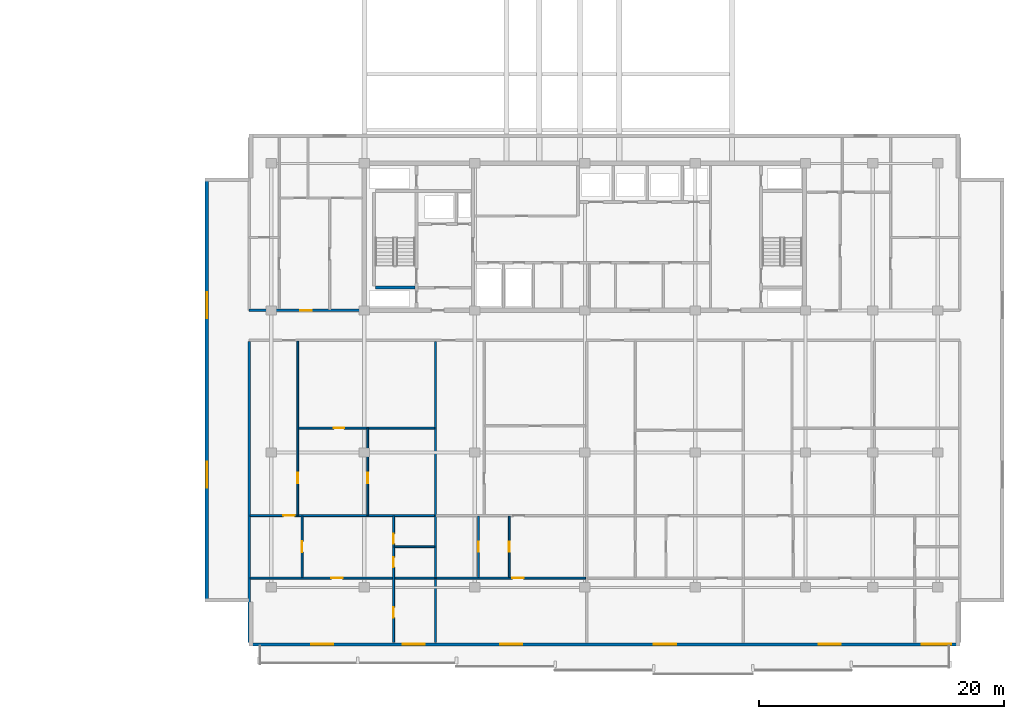
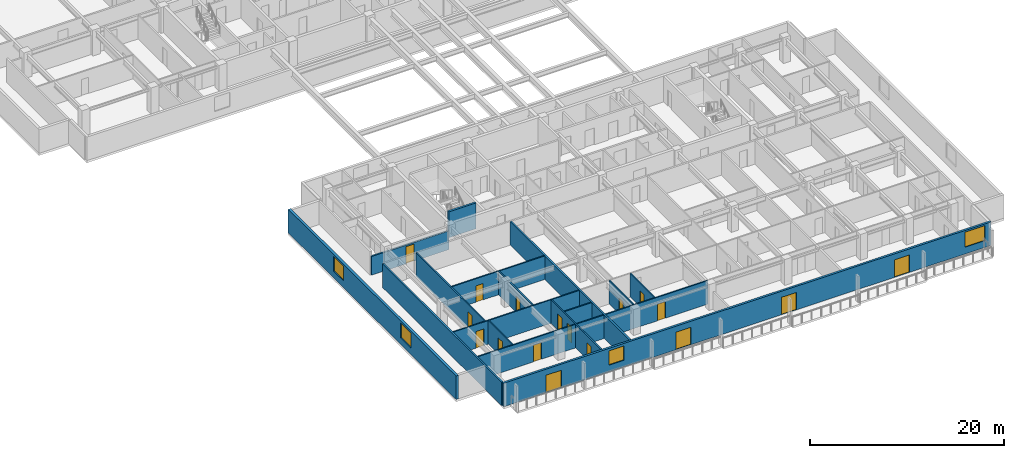
# One storey, part 4 of 21: 17 doors, 17 walls, 4 windows, 21 openings.
"""IFC4 building model written with IfcOpenShell, lengths in metres."""

from ifc_helpers import new_model, si_unit, direction, frame, frame_2d, origin, place, context, subcontext, project, spatial, rectangle, extrude, material, layer, layer_set, type_object, element, fill, save


model = new_model("IFC4")

# Units and contexts
model_context = context("Model", 3, precision=1e-05, world=origin(), true_north=direction((0.0, 1.0)))
body_context = subcontext(model_context, "Body", "Model", "MODEL_VIEW")
ifc_project = project(units=[si_unit("LENGTHUNIT", "METRE"), si_unit("AREAUNIT", "SQUARE_METRE"), si_unit("VOLUMEUNIT", "CUBIC_METRE"), si_unit("PLANEANGLEUNIT", "RADIAN"), si_unit("MASSUNIT", "GRAM", prefix="KILO")], contexts=[model_context])

# Site, building, storey
site_placement = place(None, origin())
site = spatial("IfcSite", under=ifc_project, at=site_placement, CompositionType="ELEMENT")
building_placement = place(site_placement, origin())
building = spatial("IfcBuilding", under=site, at=building_placement, Name="Korimba Cascade Residences", CompositionType="ELEMENT")
storey_placement = place(building_placement, frame((0.0, 0.0, 136.050048828125)))
storey = spatial("IfcBuildingStorey", under=building, at=storey_placement, Name="L39", CompositionType="ELEMENT", Elevation=136.050048828125)

# Wall, openings, doors, windows
ifc_material_1 = material(Name="Precast concrete C40/50", Category="concrete")
ifc_layer_1 = layer(ifc_material_1, 0.25)
ifc_layer_set_1 = layer_set([ifc_layer_1], Name="Precast concrete C40/50")
wall_type_1 = type_object("IfcWallType", Name="EW-LOG-250", PredefinedType="STANDARD", material=ifc_layer_set_1)
wall_1_placement = place(storey_placement, frame((72.699951171875, -8.85009765625, 0.0), z_axis=(0.0, 0.0, 1.0), x_axis=(1.0, 0.0, 0.0)))
wall_1 = element("IfcWall", 1, at=wall_1_placement, inside=storey, type_object=wall_type_1, Name="L39 T2 Perimeter Stone Wall E00", PredefinedType="STANDARD", context=body_context, shape_type="SweptSolid", body=[
    extrude(rectangle(XDim=58.0, YDim=0.25, at=frame_2d((29.0, 0.0))), origin(), (0.0, 0.0, 1.0), 2.9599609375),
])
opening_1_placement = place(wall_1_placement, frame((5.05419921875, 0.0, 0.0)))
opening_1 = element("IfcOpeningElement", 2, at=opening_1_placement, cuts=wall_1, Name="Opening D-LG1", PredefinedType="OPENING", context=body_context, shape_type="SweptSolid", body=[
    extrude(rectangle(XDim=1.800048828125, YDim=2.199951171875, at=frame_2d((0.89990234375, 1.10009765625))), frame((0.0, 0.135009765625, 0.0), z_axis=(0.0, -1.0, 0.0), x_axis=(1.0, 0.0, 0.0)), (0.0, 0.0, 1.0), 0.27001953125),
])
opening_2_placement = place(wall_1_placement, frame((12.538330078125, 0.0, 0.85009765625)))
opening_2 = element("IfcOpeningElement", 3, at=opening_2_placement, cuts=wall_1, Name="Opening W-02", PredefinedType="OPENING", context=body_context, shape_type="SweptSolid", body=[
    extrude(rectangle(XDim=1.800048828125, YDim=1.800048828125, at=frame_2d((0.89990234375, 0.89990234375))), frame((0.0, 0.135009765625, 0.0), z_axis=(0.0, -1.0, 0.0), x_axis=(1.0, 0.0, 0.0)), (0.0, 0.0, 1.0), 0.27001953125),
])
opening_3_placement = place(wall_1_placement, frame((20.47509765625, 0.0, 0.0)))
opening_3 = element("IfcOpeningElement", 4, at=opening_3_placement, cuts=wall_1, Name="Opening D-LG1", PredefinedType="OPENING", context=body_context, shape_type="SweptSolid", body=[
    extrude(rectangle(XDim=1.800048828125, YDim=2.199951171875, at=frame_2d((0.89990234375, 1.10009765625))), frame((0.0, 0.135009765625, 0.0), z_axis=(0.0, -1.0, 0.0), x_axis=(1.0, 0.0, 0.0)), (0.0, 0.0, 1.0), 0.27001953125),
])
opening_4_placement = place(wall_1_placement, frame((33.03759765625, 0.0, 0.0)))
opening_4 = element("IfcOpeningElement", 5, at=opening_4_placement, cuts=wall_1, Name="Opening D-LG1", PredefinedType="OPENING", context=body_context, shape_type="SweptSolid", body=[
    extrude(rectangle(XDim=1.800048828125, YDim=2.199951171875, at=frame_2d((0.89990234375, 1.10009765625))), frame((0.0, 0.135009765625, 0.0), z_axis=(0.0, -1.0, 0.0), x_axis=(1.0, 0.0, 0.0)), (0.0, 0.0, 1.0), 0.27001953125),
])
opening_5_placement = place(wall_1_placement, frame((46.486572265625, 0.0, 0.0)))
opening_5 = element("IfcOpeningElement", 6, at=opening_5_placement, cuts=wall_1, Name="Opening D-LG1", PredefinedType="OPENING", context=body_context, shape_type="SweptSolid", body=[
    extrude(rectangle(XDim=1.800048828125, YDim=2.199951171875, at=frame_2d((0.89990234375, 1.10009765625))), frame((0.0, 0.135009765625, 0.0), z_axis=(0.0, -1.0, 0.0), x_axis=(1.0, 0.0, 0.0)), (0.0, 0.0, 1.0), 0.27001953125),
])
opening_6_placement = place(wall_1_placement, frame((54.89990234375, 0.0, 0.85009765625)))
opening_6 = element("IfcOpeningElement", 7, at=opening_6_placement, cuts=wall_1, Name="Opening W-01", PredefinedType="OPENING", context=body_context, shape_type="SweptSolid", body=[
    extrude(rectangle(XDim=2.39990234375, YDim=1.89990234375, at=frame_2d((1.199951171875, 0.949951171875))), frame((0.0, 0.135009765625, 0.0), z_axis=(0.0, -1.0, 0.0), x_axis=(1.0, 0.0, 0.0)), (0.0, 0.0, 1.0), 0.27001953125),
])
ifc_material_2 = material(Name="Glazed Aluminium Loggia Sliding Door", Category="aluminium")
door_type_1 = type_object("IfcDoorType", Name="DR-EXT-LOG", OperationType="NOTDEFINED", PredefinedType="DOOR", material=ifc_material_2)
door_1_placement = place(opening_1_placement, origin())
door_1 = element("IfcDoor", 8, at=door_1_placement, inside=storey, type_object=door_type_1, Name="L39 T2 Loggia Sliding Door 3", OperationType="SLIDING_TO_RIGHT", OverallHeight=2.199951171875, OverallWidth=1.800048828125, PredefinedType="DOOR", context=body_context, shape_type="SweptSolid", body=[
    extrude(rectangle(XDim=1.800048828125, YDim=2.199951171875, at=frame_2d((0.89990234375, 1.10009765625))), frame((0.0, 0.02490234375, 0.0), z_axis=(0.0, -1.0, 0.0), x_axis=(1.0, 0.0, 0.0)), (0.0, 0.0, 1.0), 0.050048828125),
])
fill(opening_1, door_1)
door_2_placement = place(opening_3_placement, origin())
door_2 = element("IfcDoor", 9, at=door_2_placement, inside=storey, type_object=door_type_1, Name="L39 T2 Loggia Sliding Door 5", OperationType="SLIDING_TO_RIGHT", OverallHeight=2.199951171875, OverallWidth=1.800048828125, PredefinedType="DOOR", context=body_context, shape_type="SweptSolid", body=[
    extrude(rectangle(XDim=1.800048828125, YDim=2.199951171875, at=frame_2d((0.89990234375, 1.10009765625))), frame((0.0, 0.02490234375, 0.0), z_axis=(0.0, -1.0, 0.0), x_axis=(1.0, 0.0, 0.0)), (0.0, 0.0, 1.0), 0.050048828125),
])
fill(opening_3, door_2)
door_3_placement = place(opening_4_placement, origin())
door_3 = element("IfcDoor", 10, at=door_3_placement, inside=storey, type_object=door_type_1, Name="L39 T2 Loggia Sliding Door 6", OperationType="SLIDING_TO_RIGHT", OverallHeight=2.199951171875, OverallWidth=1.800048828125, PredefinedType="DOOR", context=body_context, shape_type="SweptSolid", body=[
    extrude(rectangle(XDim=1.800048828125, YDim=2.199951171875, at=frame_2d((0.89990234375, 1.10009765625))), frame((0.0, 0.02490234375, 0.0), z_axis=(0.0, -1.0, 0.0), x_axis=(1.0, 0.0, 0.0)), (0.0, 0.0, 1.0), 0.050048828125),
])
fill(opening_4, door_3)
door_4_placement = place(opening_5_placement, origin())
door_4 = element("IfcDoor", 11, at=door_4_placement, inside=storey, type_object=door_type_1, Name="L39 T2 Loggia Sliding Door 7", OperationType="SLIDING_TO_RIGHT", OverallHeight=2.199951171875, OverallWidth=1.800048828125, PredefinedType="DOOR", context=body_context, shape_type="SweptSolid", body=[
    extrude(rectangle(XDim=1.800048828125, YDim=2.199951171875, at=frame_2d((0.89990234375, 1.10009765625))), frame((0.0, 0.02490234375, 0.0), z_axis=(0.0, -1.0, 0.0), x_axis=(1.0, 0.0, 0.0)), (0.0, 0.0, 1.0), 0.050048828125),
])
fill(opening_5, door_4)
ifc_material_3 = material(Name="Double-Glazed Aluminium Window", Category="aluminium")
window_type_1 = type_object("IfcWindowType", Name="WIN-BED-1800", PartitioningType="SINGLE_PANEL", PredefinedType="WINDOW", material=ifc_material_3)
window_1_placement = place(opening_2_placement, origin())
window_1 = element("IfcWindow", 12, at=window_1_placement, inside=storey, type_object=window_type_1, Name="L39 T2 South Facade Window 4", OverallHeight=1.800048828125, OverallWidth=1.800048828125, PartitioningType="SINGLE_PANEL", PredefinedType="WINDOW", context=body_context, shape_type="SweptSolid", body=[
    extrude(rectangle(XDim=1.800048828125, YDim=1.800048828125, at=frame_2d((0.89990234375, 0.89990234375))), frame((0.0, 0.030029296875, 0.0), z_axis=(0.0, -1.0, 0.0), x_axis=(1.0, 0.0, 0.0)), (0.0, 0.0, 1.0), 0.06005859375),
])
fill(opening_2, window_1)
window_type_2 = type_object("IfcWindowType", Name="WIN-RES-2400", PartitioningType="DOUBLE_PANEL_VERTICAL", PredefinedType="WINDOW", material=ifc_material_3)
window_2_placement = place(opening_6_placement, origin())
window_2 = element("IfcWindow", 13, at=window_2_placement, inside=storey, type_object=window_type_2, Name="L39 T2 South Facade Window 8", OverallHeight=1.89990234375, OverallWidth=2.39990234375, PartitioningType="DOUBLE_PANEL_VERTICAL", PredefinedType="WINDOW", context=body_context, shape_type="SweptSolid", body=[
    extrude(rectangle(XDim=2.39990234375, YDim=1.89990234375, at=frame_2d((1.199951171875, 0.949951171875))), frame((0.0, 0.030029296875, 0.0), z_axis=(0.0, -1.0, 0.0), x_axis=(1.0, 0.0, 0.0)), (0.0, 0.0, 1.0), 0.06005859375),
])
fill(opening_6, window_2)

# Wall, openings, windows
ifc_layer_2 = layer(ifc_material_1, 0.300048828125)
ifc_layer_set_2 = layer_set([ifc_layer_2], Name="Precast concrete C40/50")
wall_type_2 = type_object("IfcWallType", Name="EW-STONE-300", PredefinedType="STANDARD", material=ifc_layer_set_2)
wall_2_placement = place(storey_placement, frame((69.25, 29.199951171875, 0.0), z_axis=(0.0, 0.0, 1.0), x_axis=(0.0, -1.0, 0.0)))
wall_2 = element("IfcWall", 14, at=wall_2_placement, inside=storey, type_object=wall_type_2, Name="L39 T2 Perimeter Stone Wall E09", PredefinedType="STANDARD", context=body_context, shape_type="SweptSolid", body=[
    extrude(rectangle(XDim=34.599853515625, YDim=0.300048828125, at=frame_2d((17.2998046875, 0.0))), origin(), (0.0, 0.0, 1.0), 2.9599609375),
])
opening_7_placement = place(wall_2_placement, frame((9.330078125, 0.0, 0.85009765625)))
opening_7 = element("IfcOpeningElement", 15, at=opening_7_placement, cuts=wall_2, Name="Opening W-03", PredefinedType="OPENING", context=body_context, shape_type="SweptSolid", body=[
    extrude(rectangle(XDim=2.10009765625, YDim=1.85009765625, at=frame_2d((1.050048828125, 0.925048828125))), frame((0.0, 0.16015625, 0.0), z_axis=(0.0, -1.0, 0.0), x_axis=(1.0, 0.0, 0.0)), (0.0, 0.0, 1.0), 0.320068359375),
])
opening_8_placement = place(wall_2_placement, frame((23.169921875, 0.0, 0.85009765625)))
opening_8 = element("IfcOpeningElement", 16, at=opening_8_placement, cuts=wall_2, Name="Opening W-03", PredefinedType="OPENING", context=body_context, shape_type="SweptSolid", body=[
    extrude(rectangle(XDim=2.10009765625, YDim=1.85009765625, at=frame_2d((1.050048828125, 0.925048828125))), frame((0.0, 0.16015625, 0.0), z_axis=(0.0, -1.0, 0.0), x_axis=(1.0, 0.0, 0.0)), (0.0, 0.0, 1.0), 0.320068359375),
])
window_type_3 = type_object("IfcWindowType", Name="WIN-CRN-2100", PartitioningType="DOUBLE_PANEL_HORIZONTAL", PredefinedType="WINDOW", material=ifc_material_3)
window_3_placement = place(opening_7_placement, origin())
window_3 = element("IfcWindow", 17, at=window_3_placement, inside=storey, type_object=window_type_3, Name="L39 T2 End View Window 9.1", OverallHeight=1.85009765625, OverallWidth=2.10009765625, PartitioningType="DOUBLE_PANEL_HORIZONTAL", PredefinedType="WINDOW", context=body_context, shape_type="SweptSolid", body=[
    extrude(rectangle(XDim=2.10009765625, YDim=1.85009765625, at=frame_2d((1.050048828125, 0.925048828125))), frame((0.0, 0.030029296875, 0.0), z_axis=(0.0, -1.0, 0.0), x_axis=(1.0, 0.0, 0.0)), (0.0, 0.0, 1.0), 0.06005859375),
])
fill(opening_7, window_3)
window_4_placement = place(opening_8_placement, origin())
window_4 = element("IfcWindow", 18, at=window_4_placement, inside=storey, type_object=window_type_3, Name="L39 T2 End View Window 9.2", OverallHeight=1.85009765625, OverallWidth=2.10009765625, PartitioningType="DOUBLE_PANEL_HORIZONTAL", PredefinedType="WINDOW", context=body_context, shape_type="SweptSolid", body=[
    extrude(rectangle(XDim=2.10009765625, YDim=1.85009765625, at=frame_2d((1.050048828125, 0.925048828125))), frame((0.0, 0.030029296875, 0.0), z_axis=(0.0, -1.0, 0.0), x_axis=(1.0, 0.0, 0.0)), (0.0, 0.0, 1.0), 0.06005859375),
])
fill(opening_8, window_4)

# Wall, opening, door
ifc_layer_3 = layer(ifc_material_1, 0.199951171875)
ifc_layer_set_3 = layer_set([ifc_layer_3], Name="Precast concrete C40/50")
wall_type_3 = type_object("IfcWallType", Name="WAL-IT-200", PredefinedType="PARTITIONING", material=ifc_layer_set_3)
wall_3_placement = place(storey_placement, frame((72.699951171875, 18.39990234375, 0.0), z_axis=(0.0, 0.0, 1.0), x_axis=(1.0, 0.0, 0.0)))
wall_3 = element("IfcWall", 19, at=wall_3_placement, inside=storey, type_object=wall_type_3, Name="L39 Partition Wall WAL-L39-T2-FW-S", PredefinedType="PARTITIONING", context=body_context, shape_type="SweptSolid", body=[
    extrude(rectangle(XDim=9.25, YDim=0.199951171875, at=frame_2d((4.625, 0.0))), origin(), (0.0, 0.0, 1.0), 2.34765625),
])
opening_9_placement = place(wall_3_placement, frame((4.14990234375, 0.0, 0.0)))
opening_9 = element("IfcOpeningElement", 20, at=opening_9_placement, cuts=wall_3, Name="Opening D-UN1", PredefinedType="OPENING", context=body_context, shape_type="SweptSolid", body=[
    extrude(rectangle(XDim=0.949951171875, YDim=2.14990234375, at=frame_2d((0.47509765625, 1.074951171875))), frame((0.0, 0.10986328125, 0.0), z_axis=(0.0, -1.0, 0.0), x_axis=(1.0, 0.0, 0.0)), (0.0, 0.0, 1.0), 0.219970703125),
])
ifc_material_4 = material(Name="Fire-Rated Hardwood Apartment Entrance Door", Category="wood")
door_type_2 = type_object("IfcDoorType", Name="DR-FD60-950", OperationType="NOTDEFINED", PredefinedType="DOOR", material=ifc_material_4)
door_5_placement = place(opening_9_placement, origin())
door_5 = element("IfcDoor", 21, at=door_5_placement, inside=storey, type_object=door_type_2, Name="L39-T2-FW Entrance Door", OperationType="SINGLE_SWING_LEFT", OverallHeight=2.14990234375, OverallWidth=0.949951171875, PredefinedType="DOOR", context=body_context, shape_type="SweptSolid", body=[
    extrude(rectangle(XDim=0.949951171875, YDim=2.14990234375, at=frame_2d((0.47509765625, 1.074951171875))), frame((0.0, 0.02490234375, 0.0), z_axis=(0.0, -1.0, 0.0), x_axis=(1.0, 0.0, 0.0)), (0.0, 0.0, 1.0), 0.050048828125),
])
fill(opening_9, door_5)

# Walls
for number, where, z_axis, x_axis, name in (
    (22, (72.699951171875, -8.699951171875, 0.0), (0.0, 0.0, 1.0), (0.0, 1.0, 0.0), "L39 Partition Wall WAL-L39-T2-BNDWL"),
    (23, (87.908203125, -8.699951171875, 0.0), (0.0, 0.0, 1.0), (0.0, 1.0, 0.0), "L39 Partition Wall WAL-L39-T2-DEM-1"),
):
    element("IfcWall", number, at=place(storey_placement, frame(where, z_axis=z_axis, x_axis=x_axis)), inside=storey, type_object=wall_type_3, Name=name, PredefinedType="PARTITIONING", context=body_context, shape_type="SweptSolid", body=[
        extrude(rectangle(XDim=24.570068359375, YDim=0.199951171875, at=frame_2d((12.28515625, 0.0))), origin(), (0.0, 0.0, 1.0), 2.9599609375),
    ])

# Wall, opening, door
ifc_material_5 = material(Name="Insulated Acoustic Stud Partition", Category="gypsum")
ifc_layer_4 = layer(ifc_material_5, 0.14990234375)
ifc_layer_set_4 = layer_set([ifc_layer_4], Name="Insulated Acoustic Stud Partition")
wall_type_4 = type_object("IfcWallType", Name="WAL-PART-150", PredefinedType="PARTITIONING", material=ifc_layer_set_4)
wall_4_placement = place(storey_placement, frame((82.379150390625, 1.68994140625, 0.0), z_axis=(0.0, 0.0, 1.0), x_axis=(0.0, 1.0, 0.0)))
wall_4 = element("IfcWall", 24, at=wall_4_placement, inside=storey, type_object=wall_type_4, Name="L39 Partition Wall WAL-L39-T2-U01-FMV", PredefinedType="PARTITIONING", context=body_context, shape_type="SweptSolid", body=[
    extrude(rectangle(XDim=7.10009765625, YDim=0.14990234375, at=frame_2d((3.550048828125, 0.0))), origin(), (0.0, 0.0, 1.0), 2.9599609375),
])
opening_10_placement = place(wall_4_placement, frame((2.614013671875, 0.0, 0.0)))
opening_10 = element("IfcOpeningElement", 25, at=opening_10_placement, cuts=wall_4, Name="Opening D-BT1", PredefinedType="OPENING", context=body_context, shape_type="SweptSolid", body=[
    extrude(rectangle(XDim=0.840087890625, YDim=2.0400390625, at=frame_2d((0.419921875, 1.02001953125))), frame((0.0, 0.0849609375, 0.0), z_axis=(0.0, -1.0, 0.0), x_axis=(1.0, 0.0, 0.0)), (0.0, 0.0, 1.0), 0.169921875),
])
ifc_material_6 = material(Name="Moisture-Resistant Bathroom Timber Door", Category="wood")
door_type_3 = type_object("IfcDoorType", Name="DR-INT-850", OperationType="NOTDEFINED", PredefinedType="DOOR", material=ifc_material_6)
door_6_placement = place(opening_10_placement, origin())
door_6 = element("IfcDoor", 26, at=door_6_placement, inside=storey, type_object=door_type_3, Name="L39-T2-U01 Wardrobe Door", OperationType="SINGLE_SWING_RIGHT", OverallHeight=2.0400390625, OverallWidth=0.840087890625, PredefinedType="DOOR", context=body_context, shape_type="SweptSolid", body=[
    extrude(rectangle(XDim=0.840087890625, YDim=2.0400390625, at=frame_2d((0.419921875, 1.02001953125))), frame((0.0, 0.02490234375, 0.0), z_axis=(0.0, -1.0, 0.0), x_axis=(1.0, 0.0, 0.0)), (0.0, 0.0, 1.0), 0.050048828125),
])
fill(opening_10, door_6)

wall_5_placement = place(storey_placement, frame((76.72998046875, 8.7900390625, 0.0), z_axis=(0.0, 0.0, 1.0), x_axis=(1.0, 0.0, 0.0)))
wall_5 = element("IfcWall", 27, at=wall_5_placement, inside=storey, type_object=wall_type_4, Name="L39 Partition Wall WAL-L39-T2-U01-FMH", PredefinedType="PARTITIONING", context=body_context, shape_type="SweptSolid", body=[
    extrude(rectangle(XDim=11.098388671875, YDim=0.14990234375, at=frame_2d((5.54931640625, 0.0))), origin(), (0.0, 0.0, 1.0), 2.9599609375),
])
opening_11_placement = place(wall_5_placement, frame((2.869384765625, 0.0, 0.0)))
opening_11 = element("IfcOpeningElement", 28, at=opening_11_placement, cuts=wall_5, Name="Opening D-IN2", PredefinedType="OPENING", context=body_context, shape_type="SweptSolid", body=[
    extrude(rectangle(XDim=0.8798828125, YDim=2.06005859375, at=frame_2d((0.43994140625, 1.030029296875))), frame((0.0, 0.0849609375, 0.0), z_axis=(0.0, -1.0, 0.0), x_axis=(1.0, 0.0, 0.0)), (0.0, 0.0, 1.0), 0.169921875),
])
ifc_material_7 = material(Name="Acoustic Timber Bedroom Door", Category="wood")
door_type_4 = type_object("IfcDoorType", Name="DR-INT-880", OperationType="NOTDEFINED", PredefinedType="DOOR", material=ifc_material_7)
door_7_placement = place(opening_11_placement, origin())
door_7 = element("IfcDoor", 29, at=door_7_placement, inside=storey, type_object=door_type_4, Name="L39-T2-U01 Library Salon Door", OperationType="SINGLE_SWING_LEFT", OverallHeight=2.06005859375, OverallWidth=0.8798828125, PredefinedType="DOOR", context=body_context, shape_type="SweptSolid", body=[
    extrude(rectangle(XDim=0.8798828125, YDim=2.06005859375, at=frame_2d((0.43994140625, 1.030029296875))), frame((0.0, 0.02490234375, 0.0), z_axis=(0.0, -1.0, 0.0), x_axis=(1.0, 0.0, 0.0)), (0.0, 0.0, 1.0), 0.050048828125),
])
fill(opening_11, door_7)

wall_6_placement = place(storey_placement, frame((76.669921875, 1.68994140625, 0.0), z_axis=(0.0, 0.0, 1.0), x_axis=(0.0, 1.0, 0.0)))
wall_6 = element("IfcWall", 30, at=wall_6_placement, inside=storey, type_object=wall_type_4, Name="L39 Partition Wall WAL-L39-T2-U01-FV", PredefinedType="PARTITIONING", context=body_context, shape_type="SweptSolid", body=[
    extrude(rectangle(XDim=14.199951171875, YDim=0.14990234375, at=frame_2d((7.10009765625, 0.0))), origin(), (0.0, 0.0, 1.0), 2.9599609375),
])
opening_12_placement = place(wall_6_placement, frame((2.597900390625, 0.0, 0.0)))
opening_12 = element("IfcOpeningElement", 31, at=opening_12_placement, cuts=wall_6, Name="Opening D-IN2", PredefinedType="OPENING", context=body_context, shape_type="SweptSolid", body=[
    extrude(rectangle(XDim=0.8798828125, YDim=2.06005859375, at=frame_2d((0.43994140625, 1.030029296875))), frame((0.0, 0.0849609375, 0.0), z_axis=(0.0, -1.0, 0.0), x_axis=(1.0, 0.0, 0.0)), (0.0, 0.0, 1.0), 0.169921875),
])
door_8_placement = place(opening_12_placement, origin())
door_8 = element("IfcDoor", 32, at=door_8_placement, inside=storey, type_object=door_type_4, Name="L39-T2-U01 Media Lounge Door", OperationType="SINGLE_SWING_RIGHT", OverallHeight=2.06005859375, OverallWidth=0.8798828125, PredefinedType="DOOR", context=body_context, shape_type="SweptSolid", body=[
    extrude(rectangle(XDim=0.8798828125, YDim=2.06005859375, at=frame_2d((0.43994140625, 1.030029296875))), frame((0.0, 0.02490234375, 0.0), z_axis=(0.0, -1.0, 0.0), x_axis=(1.0, 0.0, 0.0)), (0.0, 0.0, 1.0), 0.050048828125),
])
fill(opening_12, door_8)

wall_7_placement = place(storey_placement, frame((77.02001953125, -3.389892578125, 0.0), z_axis=(0.0, 0.0, 1.0), x_axis=(0.0, 1.0, 0.0)))
wall_7 = element("IfcWall", 33, at=wall_7_placement, inside=storey, type_object=wall_type_4, Name="L39 Partition Wall WAL-L39-T2-U01-VDIN", PredefinedType="PARTITIONING", context=body_context, shape_type="SweptSolid", body=[
    extrude(rectangle(XDim=5.0, YDim=0.14990234375, at=frame_2d((2.5, 0.0))), origin(), (0.0, 0.0, 1.0), 2.9599609375),
])
opening_13_placement = place(wall_7_placement, frame((2.06005859375, 0.0, 0.0)))
opening_13 = element("IfcOpeningElement", 34, at=opening_13_placement, cuts=wall_7, Name="Opening D-IN2", PredefinedType="OPENING", context=body_context, shape_type="SweptSolid", body=[
    extrude(rectangle(XDim=0.8798828125, YDim=2.06005859375, at=frame_2d((0.43994140625, 1.030029296875))), frame((0.0, 0.0849609375, 0.0), z_axis=(0.0, -1.0, 0.0), x_axis=(1.0, 0.0, 0.0)), (0.0, 0.0, 1.0), 0.169921875),
])
door_9_placement = place(opening_13_placement, origin())
door_9 = element("IfcDoor", 35, at=door_9_placement, inside=storey, type_object=door_type_4, Name="L39-T2-U01 Dining Room Door", OperationType="SINGLE_SWING_LEFT", OverallHeight=2.06005859375, OverallWidth=0.8798828125, PredefinedType="DOOR", context=body_context, shape_type="SweptSolid", body=[
    extrude(rectangle(XDim=0.8798828125, YDim=2.06005859375, at=frame_2d((0.43994140625, 1.030029296875))), frame((0.0, 0.02490234375, 0.0), z_axis=(0.0, -1.0, 0.0), x_axis=(1.0, 0.0, 0.0)), (0.0, 0.0, 1.0), 0.050048828125),
])
fill(opening_13, door_9)

# Wall
wall_8_placement = place(storey_placement, frame((84.54833984375, -0.889892578125, 0.0), z_axis=(0.0, 0.0, 1.0), x_axis=(1.0, 0.0, 0.0)))
element("IfcWall", 36, at=wall_8_placement, inside=storey, type_object=wall_type_4, Name="L39 Partition Wall WAL-L39-T2-U01-BLDIV", PredefinedType="PARTITIONING", context=body_context, shape_type="SweptSolid", body=[
    extrude(rectangle(XDim=3.280029296875, YDim=0.14990234375, at=frame_2d((1.64013671875, 0.0))), origin(), (0.0, 0.0, 1.0), 2.9599609375),
])

# Wall, openings, doors
wall_9_placement = place(storey_placement, frame((84.48828125, -8.699951171875, 0.0), z_axis=(0.0, 0.0, 1.0), x_axis=(0.0, 1.0, 0.0)))
wall_9 = element("IfcWall", 37, at=wall_9_placement, inside=storey, type_object=wall_type_4, Name="L39 Partition Wall WAL-L39-T2-U01-V1", PredefinedType="PARTITIONING", context=body_context, shape_type="SweptSolid", body=[
    extrude(rectangle(XDim=10.31005859375, YDim=0.14990234375, at=frame_2d((5.155029296875, 0.0))), origin(), (0.0, 0.0, 1.0), 2.9599609375),
])
opening_14_placement = place(wall_9_placement, frame((6.120361328125, 0.0, 0.0)))
opening_14 = element("IfcOpeningElement", 38, at=opening_14_placement, cuts=wall_9, Name="Opening D-BT1", PredefinedType="OPENING", context=body_context, shape_type="SweptSolid", body=[
    extrude(rectangle(XDim=0.840087890625, YDim=2.0400390625, at=frame_2d((0.419921875, 1.02001953125))), frame((0.0, 0.0849609375, 0.0), z_axis=(0.0, -1.0, 0.0), x_axis=(1.0, 0.0, 0.0)), (0.0, 0.0, 1.0), 0.169921875),
])
opening_15_placement = place(wall_9_placement, frame((8.03955078125, 0.0, 0.0)))
opening_15 = element("IfcOpeningElement", 39, at=opening_15_placement, cuts=wall_9, Name="Opening D-BT1", PredefinedType="OPENING", context=body_context, shape_type="SweptSolid", body=[
    extrude(rectangle(XDim=0.840087890625, YDim=2.0400390625, at=frame_2d((0.419921875, 1.02001953125))), frame((0.0, 0.0849609375, 0.0), z_axis=(0.0, -1.0, 0.0), x_axis=(1.0, 0.0, 0.0)), (0.0, 0.0, 1.0), 0.169921875),
])
opening_16_placement = place(wall_9_placement, frame((2.001220703125, 0.0, 0.0)))
opening_16 = element("IfcOpeningElement", 40, at=opening_16_placement, cuts=wall_9, Name="Opening D-IN2", PredefinedType="OPENING", context=body_context, shape_type="SweptSolid", body=[
    extrude(rectangle(XDim=0.8798828125, YDim=2.06005859375, at=frame_2d((0.43994140625, 1.030029296875))), frame((0.0, 0.0849609375, 0.0), z_axis=(0.0, -1.0, 0.0), x_axis=(1.0, 0.0, 0.0)), (0.0, 0.0, 1.0), 0.169921875),
])
door_10_placement = place(opening_14_placement, origin())
door_10 = element("IfcDoor", 41, at=door_10_placement, inside=storey, type_object=door_type_3, Name="L39-T2-U01 Bathroom Door", OperationType="SINGLE_SWING_RIGHT", OverallHeight=2.0400390625, OverallWidth=0.840087890625, PredefinedType="DOOR", context=body_context, shape_type="SweptSolid", body=[
    extrude(rectangle(XDim=0.840087890625, YDim=2.0400390625, at=frame_2d((0.419921875, 1.02001953125))), frame((0.0, 0.02490234375, 0.0), z_axis=(0.0, -1.0, 0.0), x_axis=(1.0, 0.0, 0.0)), (0.0, 0.0, 1.0), 0.050048828125),
])
fill(opening_14, door_10)
door_11_placement = place(opening_15_placement, origin())
door_11 = element("IfcDoor", 42, at=door_11_placement, inside=storey, type_object=door_type_3, Name="L39-T2-U01 Laundry Door", OperationType="SINGLE_SWING_LEFT", OverallHeight=2.0400390625, OverallWidth=0.840087890625, PredefinedType="DOOR", context=body_context, shape_type="SweptSolid", body=[
    extrude(rectangle(XDim=0.840087890625, YDim=2.0400390625, at=frame_2d((0.419921875, 1.02001953125))), frame((0.0, 0.02490234375, 0.0), z_axis=(0.0, -1.0, 0.0), x_axis=(1.0, 0.0, 0.0)), (0.0, 0.0, 1.0), 0.050048828125),
])
fill(opening_15, door_11)
door_12_placement = place(opening_16_placement, origin())
door_12 = element("IfcDoor", 43, at=door_12_placement, inside=storey, type_object=door_type_4, Name="L39-T2-U01 Bedroom 1 Door", OperationType="SINGLE_SWING_RIGHT", OverallHeight=2.06005859375, OverallWidth=0.8798828125, PredefinedType="DOOR", context=body_context, shape_type="SweptSolid", body=[
    extrude(rectangle(XDim=0.8798828125, YDim=2.06005859375, at=frame_2d((0.43994140625, 1.030029296875))), frame((0.0, 0.02490234375, 0.0), z_axis=(0.0, -1.0, 0.0), x_axis=(1.0, 0.0, 0.0)), (0.0, 0.0, 1.0), 0.050048828125),
])
fill(opening_16, door_12)

# Wall, opening, door
wall_10_placement = place(storey_placement, frame((72.780029296875, 1.64990234375, 0.0), z_axis=(0.0, 0.0, 1.0), x_axis=(1.0, 0.0, 0.0)))
wall_10 = element("IfcWall", 44, at=wall_10_placement, inside=storey, type_object=wall_type_4, Name="L39 Partition Wall WAL-L39-T2-U01-MW", PredefinedType="PARTITIONING", context=body_context, shape_type="SweptSolid", body=[
    extrude(rectangle(XDim=15.04833984375, YDim=0.14990234375, at=frame_2d((7.524169921875, 0.0))), origin(), (0.0, 0.0, 1.0), 2.9599609375),
])
opening_17_placement = place(wall_10_placement, frame((2.719970703125, 0.0, 0.0)))
opening_17 = element("IfcOpeningElement", 45, at=opening_17_placement, cuts=wall_10, Name="Opening D-IN1", PredefinedType="OPENING", context=body_context, shape_type="SweptSolid", body=[
    extrude(rectangle(XDim=0.919921875, YDim=2.080078125, at=frame_2d((0.4599609375, 1.0400390625))), frame((0.0, 0.0849609375, 0.0), z_axis=(0.0, -1.0, 0.0), x_axis=(1.0, 0.0, 0.0)), (0.0, 0.0, 1.0), 0.169921875),
])
ifc_material_8 = material(Name="Acoustic Timber Living Door", Category="wood")
door_type_5 = type_object("IfcDoorType", Name="DR-INT-920", OperationType="NOTDEFINED", PredefinedType="DOOR", material=ifc_material_8)
door_13_placement = place(opening_17_placement, origin())
door_13 = element("IfcDoor", 46, at=door_13_placement, inside=storey, type_object=door_type_5, Name="L39-T2-U01 Kitchen Archway Door", OperationType="SINGLE_SWING_LEFT", OverallHeight=2.080078125, OverallWidth=0.919921875, PredefinedType="DOOR", context=body_context, shape_type="SweptSolid", body=[
    extrude(rectangle(XDim=0.919921875, YDim=2.080078125, at=frame_2d((0.4599609375, 1.0400390625))), frame((0.0, 0.02490234375, 0.0), z_axis=(0.0, -1.0, 0.0), x_axis=(1.0, 0.0, 0.0)), (0.0, 0.0, 1.0), 0.050048828125),
])
fill(opening_17, door_13)

wall_11_placement = place(storey_placement, frame((72.780029296875, -3.449951171875, 0.0), z_axis=(0.0, 0.0, 1.0), x_axis=(1.0, 0.0, 0.0)))
wall_11 = element("IfcWall", 47, at=wall_11_placement, inside=storey, type_object=wall_type_4, Name="L39 Partition Wall WAL-L39-T2-U01-HZ", PredefinedType="PARTITIONING", context=body_context, shape_type="SweptSolid", body=[
    extrude(rectangle(XDim=15.04833984375, YDim=0.14990234375, at=frame_2d((7.524169921875, 0.0))), origin(), (0.0, 0.0, 1.0), 2.9599609375),
])
opening_18_placement = place(wall_11_placement, frame((6.6162109375, 0.0, 0.0)))
opening_18 = element("IfcOpeningElement", 48, at=opening_18_placement, cuts=wall_11, Name="Opening D-IN0", PredefinedType="OPENING", context=body_context, shape_type="SweptSolid", body=[
    extrude(rectangle(XDim=0.93994140625, YDim=2.10009765625, at=frame_2d((0.469970703125, 1.050048828125))), frame((0.0, 0.0849609375, 0.0), z_axis=(0.0, -1.0, 0.0), x_axis=(1.0, 0.0, 0.0)), (0.0, 0.0, 1.0), 0.169921875),
])
ifc_material_9 = material(Name="Acoustic Timber Living Archway Door", Category="wood")
door_type_6 = type_object("IfcDoorType", Name="DR-INT-950", OperationType="NOTDEFINED", PredefinedType="DOOR", material=ifc_material_9)
door_14_placement = place(opening_18_placement, origin())
door_14 = element("IfcDoor", 49, at=door_14_placement, inside=storey, type_object=door_type_6, Name="L39-T2-U01 Living Archway Door", OperationType="SINGLE_SWING_RIGHT", OverallHeight=2.10009765625, OverallWidth=0.93994140625, PredefinedType="DOOR", context=body_context, shape_type="SweptSolid", body=[
    extrude(rectangle(XDim=0.93994140625, YDim=2.10009765625, at=frame_2d((0.469970703125, 1.050048828125))), frame((0.0, 0.02490234375, 0.0), z_axis=(0.0, -1.0, 0.0), x_axis=(1.0, 0.0, 0.0)), (0.0, 0.0, 1.0), 0.050048828125),
])
fill(opening_18, door_14)

wall_12_placement = place(storey_placement, frame((91.421630859375, -3.389892578125, 0.0), z_axis=(0.0, 0.0, 1.0), x_axis=(0.0, 1.0, 0.0)))
wall_12 = element("IfcWall", 50, at=wall_12_placement, inside=storey, type_object=wall_type_4, Name="L39 Partition Wall WAL-L39-T2-U02-CLS", PredefinedType="PARTITIONING", context=body_context, shape_type="SweptSolid", body=[
    extrude(rectangle(XDim=5.0, YDim=0.14990234375, at=frame_2d((2.5, 0.0))), origin(), (0.0, 0.0, 1.0), 2.9599609375),
])
opening_19_placement = place(wall_12_placement, frame((2.080078125, 0.0, 0.0)))
opening_19 = element("IfcOpeningElement", 51, at=opening_19_placement, cuts=wall_12, Name="Opening D-BT1", PredefinedType="OPENING", context=body_context, shape_type="SweptSolid", body=[
    extrude(rectangle(XDim=0.840087890625, YDim=2.0400390625, at=frame_2d((0.419921875, 1.02001953125))), frame((0.0, 0.0849609375, 0.0), z_axis=(0.0, -1.0, 0.0), x_axis=(1.0, 0.0, 0.0)), (0.0, 0.0, 1.0), 0.169921875),
])
door_15_placement = place(opening_19_placement, origin())
door_15 = element("IfcDoor", 52, at=door_15_placement, inside=storey, type_object=door_type_3, Name="L39-T2-U02 Closet Door", OperationType="SINGLE_SWING_LEFT", OverallHeight=2.0400390625, OverallWidth=0.840087890625, PredefinedType="DOOR", context=body_context, shape_type="SweptSolid", body=[
    extrude(rectangle(XDim=0.840087890625, YDim=2.0400390625, at=frame_2d((0.419921875, 1.02001953125))), frame((0.0, 0.02490234375, 0.0), z_axis=(0.0, -1.0, 0.0), x_axis=(1.0, 0.0, 0.0)), (0.0, 0.0, 1.0), 0.050048828125),
])
fill(opening_19, door_15)

wall_13_placement = place(storey_placement, frame((93.921630859375, -3.389892578125, 0.0), z_axis=(0.0, 0.0, 1.0), x_axis=(0.0, 1.0, 0.0)))
wall_13 = element("IfcWall", 53, at=wall_13_placement, inside=storey, type_object=wall_type_4, Name="L39 Partition Wall WAL-L39-T2-U02-BM", PredefinedType="PARTITIONING", context=body_context, shape_type="SweptSolid", body=[
    extrude(rectangle(XDim=5.0, YDim=0.14990234375, at=frame_2d((2.5, 0.0))), origin(), (0.0, 0.0, 1.0), 2.9599609375),
])
opening_20_placement = place(wall_13_placement, frame((2.080078125, 0.0, 0.0)))
opening_20 = element("IfcOpeningElement", 54, at=opening_20_placement, cuts=wall_13, Name="Opening D-BT1", PredefinedType="OPENING", context=body_context, shape_type="SweptSolid", body=[
    extrude(rectangle(XDim=0.840087890625, YDim=2.0400390625, at=frame_2d((0.419921875, 1.02001953125))), frame((0.0, 0.0849609375, 0.0), z_axis=(0.0, -1.0, 0.0), x_axis=(1.0, 0.0, 0.0)), (0.0, 0.0, 1.0), 0.169921875),
])
door_16_placement = place(opening_20_placement, origin())
door_16 = element("IfcDoor", 55, at=door_16_placement, inside=storey, type_object=door_type_3, Name="L39-T2-U02 Bathroom Door", OperationType="SINGLE_SWING_RIGHT", OverallHeight=2.0400390625, OverallWidth=0.840087890625, PredefinedType="DOOR", context=body_context, shape_type="SweptSolid", body=[
    extrude(rectangle(XDim=0.840087890625, YDim=2.0400390625, at=frame_2d((0.419921875, 1.02001953125))), frame((0.0, 0.02490234375, 0.0), z_axis=(0.0, -1.0, 0.0), x_axis=(1.0, 0.0, 0.0)), (0.0, 0.0, 1.0), 0.050048828125),
])
fill(opening_20, door_16)

wall_14_placement = place(storey_placement, frame((87.98828125, -3.449951171875, 0.0), z_axis=(0.0, 0.0, 1.0), x_axis=(1.0, 0.0, 0.0)))
wall_14 = element("IfcWall", 56, at=wall_14_placement, inside=storey, type_object=wall_type_4, Name="L39 Partition Wall WAL-L39-T2-U02-HZ", PredefinedType="PARTITIONING", context=body_context, shape_type="SweptSolid", body=[
    extrude(rectangle(XDim=12.17333984375, YDim=0.14990234375, at=frame_2d((6.086669921875, 0.0))), origin(), (0.0, 0.0, 1.0), 2.9599609375),
])
opening_21_placement = place(wall_14_placement, frame((6.183349609375, 0.0, 0.0)))
opening_21 = element("IfcOpeningElement", 57, at=opening_21_placement, cuts=wall_14, Name="Opening D-IN1", PredefinedType="OPENING", context=body_context, shape_type="SweptSolid", body=[
    extrude(rectangle(XDim=0.919921875, YDim=2.080078125, at=frame_2d((0.4599609375, 1.0400390625))), frame((0.0, 0.0849609375, 0.0), z_axis=(0.0, -1.0, 0.0), x_axis=(1.0, 0.0, 0.0)), (0.0, 0.0, 1.0), 0.169921875),
])
door_17_placement = place(opening_21_placement, origin())
door_17 = element("IfcDoor", 58, at=door_17_placement, inside=storey, type_object=door_type_5, Name="L39-T2-U02 Studio Door", OperationType="SINGLE_SWING_RIGHT", OverallHeight=2.080078125, OverallWidth=0.919921875, PredefinedType="DOOR", context=body_context, shape_type="SweptSolid", body=[
    extrude(rectangle(XDim=0.919921875, YDim=2.080078125, at=frame_2d((0.4599609375, 1.0400390625))), frame((0.0, 0.02490234375, 0.0), z_axis=(0.0, -1.0, 0.0), x_axis=(1.0, 0.0, 0.0)), (0.0, 0.0, 1.0), 0.050048828125),
])
fill(opening_21, door_17)

# Wall
ifc_material_10 = material(Name="Concrete C50/60", Category="concrete")
ifc_layer_5 = layer(ifc_material_10, 0.25)
ifc_layer_set_5 = layer_set([ifc_layer_5], Name="Concrete C50/60")
wall_type_5 = type_object("IfcWallType", Name="WAL-SHAFT-250", PredefinedType="SHEAR", material=ifc_layer_set_5)
wall_15_placement = place(storey_placement, frame((83.0, 20.27490234375, 0.0), z_axis=(0.0, 0.0, 1.0), x_axis=(1.0, 0.0, 0.0)))
element("IfcWall", 59, at=wall_15_placement, inside=storey, type_object=wall_type_5, Name="L39 Core Shear Wall CW-L39-T2-STE1S", PredefinedType="SHEAR", context=body_context, shape_type="SweptSolid", body=[
    extrude(rectangle(XDim=3.239990234375, YDim=0.25, at=frame_2d((1.6201171875, 0.0))), origin(), (0.0, 0.0, 1.0), 3.25),
])

save(model, "model.ifc")
